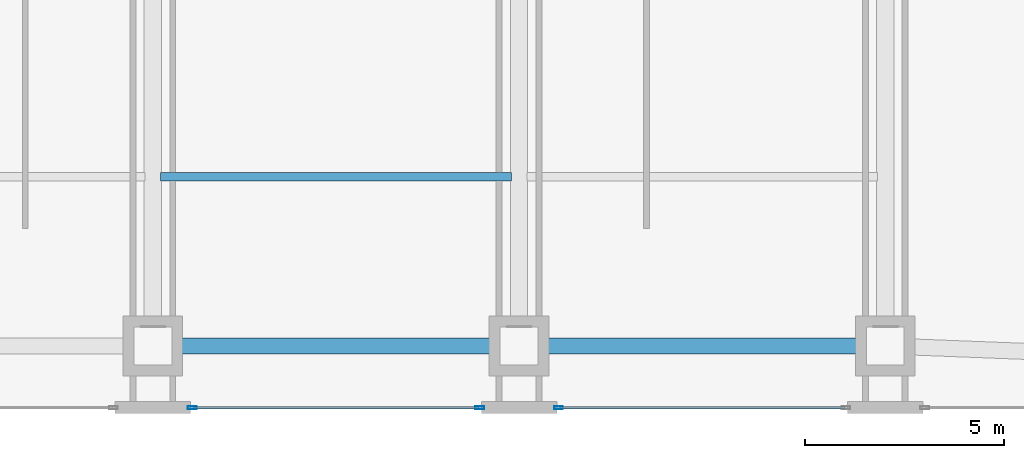
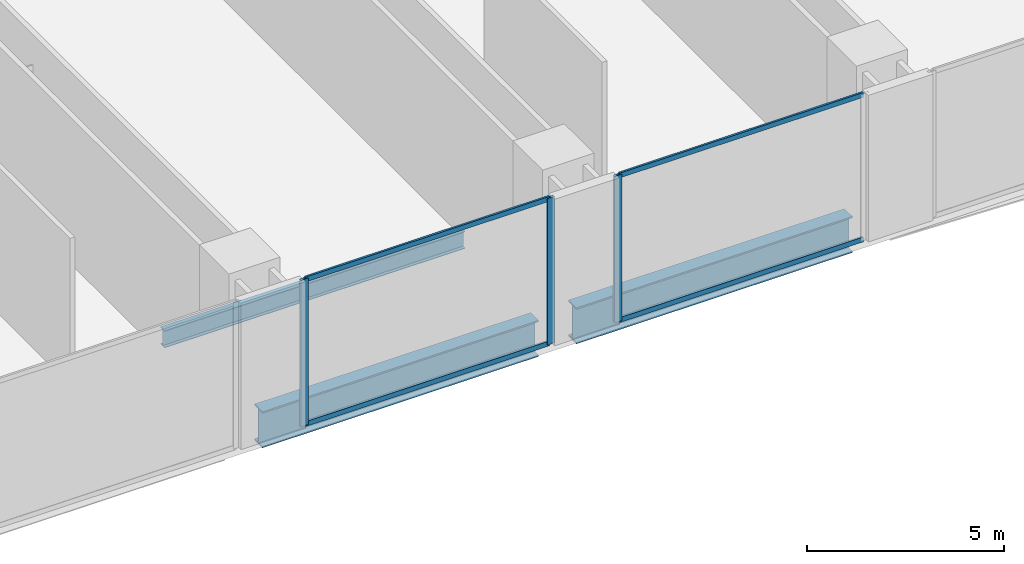
# One storey, part 9 of 33: 7 members, 3 beams, 2 elements without a shape of their own.
"""IFC4 building model written with IfcOpenShell, lengths in metres."""

from ifc_helpers import new_model, si_unit, direction, frame, origin, origin_2d, place, context, subcontext, project, spatial, hollow_rectangle, i_section, extrude, material, layer, layer_set, material_profile, profile_set, type_object, element, aggregate, save


model = new_model("IFC4")

# Units and contexts
model_context = context("Model", 3, precision=1e-05, world=origin(), true_north=direction((0.0, 1.0)))
body_context = subcontext(model_context, "Body", "Model", "MODEL_VIEW")
ifc_project = project(units=[si_unit("LENGTHUNIT", "METRE"), si_unit("AREAUNIT", "SQUARE_METRE"), si_unit("VOLUMEUNIT", "CUBIC_METRE"), si_unit("PLANEANGLEUNIT", "RADIAN"), si_unit("MASSUNIT", "GRAM", prefix="KILO")], contexts=[model_context])

# Site, building, storey
site_placement = place(None, origin())
site = spatial("IfcSite", under=ifc_project, at=site_placement, CompositionType="ELEMENT")
building_placement = place(site_placement, origin())
building = spatial("IfcBuilding", under=site, at=building_placement, Name="Zuhayl Quay Hotel", CompositionType="ELEMENT")
storey_placement = place(building_placement, frame((0.0, 0.0, 18.0)))
storey = spatial("IfcBuildingStorey", under=building, at=storey_placement, Name="L03", CompositionType="ELEMENT", Elevation=18.0)

# Beams
ifc_material_1 = material(Name="Steel ASTM A992 Grade 50", Category="steel")
ifc_material_profile_1 = material_profile(ifc_material_1, i_section(OverallWidth=0.208984375, OverallDepth=0.532958984375, WebThickness=0.01025390625, FlangeThickness=0.015625, at=origin_2d()), Name="W21X62")
ifc_profile_set_1 = profile_set([ifc_material_profile_1], Name="Steel ASTM A992 Grade 50")
beam_type_1 = type_object("IfcBeamType", Name="BM_J1_W21X62", PredefinedType="JOIST", material=ifc_profile_set_1)
beam_placement = place(storey_placement, frame((-4.406005859375, -18.199951171875, -0.526611328125), z_axis=(1.0, 0.0, 0.0), x_axis=(0.0, 1.0, 0.0)))
element("IfcBeam", 1, at=beam_placement, inside=storey, type_object=beam_type_1, Name="L03 Floor Beam J_POD_L03_1_2", PredefinedType="JOIST", context=body_context, shape_type="SweptSolid", body=[
    extrude(i_section(OverallWidth=0.208984375, OverallDepth=0.532958984375, WebThickness=0.01025390625, FlangeThickness=0.015625, at=origin_2d()), origin(), (0.0, 0.0, 1.0), 8.81201171875),
])
ifc_material_2 = material(Name="Steel ASTM A913 Grade 65", Category="steel")
ifc_material_profile_2 = material_profile(ifc_material_2, i_section(OverallWidth=0.404052734375, OverallDepth=1.117919921875, WebThickness=0.026123046875, FlangeThickness=0.044921875, at=origin_2d()), Name="W44X335")
ifc_profile_set_2 = profile_set([ifc_material_profile_2], Name="Steel ASTM A913 Grade 65")
beam_type_2 = type_object("IfcBeamType", Name="BM_TG1_W44X335", PredefinedType="BEAM", material=ifc_profile_set_2)
for number, where, z_axis, x_axis, name in (
    (2, (-4.050048828125, -22.449951171875, -0.819091796875), (1.0, 0.0, 0.0), (0.0, 1.0, 0.0), "L03 Floor Beam PG_S_L03_2"),
    (3, (5.14990234375, -22.449951171875, -0.819091796875), (1.0, 0.0, 0.0), (0.0, 1.0, 0.0), "L03 Floor Beam PG_S_L03_3"),
):
    element("IfcBeam", number, at=place(storey_placement, frame(where, z_axis=z_axis, x_axis=x_axis)), inside=storey, type_object=beam_type_2, Name=name, PredefinedType="BEAM", context=body_context, shape_type="SweptSolid", body=[
        extrude(i_section(OverallWidth=0.404052734375, OverallDepth=1.117919921875, WebThickness=0.026123046875, FlangeThickness=0.044921875, at=origin_2d()), origin(), (0.0, 0.0, 1.0), 8.10009765625),
    ])

# Curtain wall, member
ifc_material_3 = material(Name="Anodised Aluminium 6063-T6", Category="aluminium")
ifc_layer = layer(ifc_material_3, 0.199951171875, Name="Anodised Aluminium 6063-T6", Category="aluminium")
ifc_layer_set = layer_set([ifc_layer], Name="Anodised Aluminium 6063-T6")
curtain_wall_type = type_object("IfcCurtainWallType", Name="CW_SYS_POD", PredefinedType="USERDEFINED", material=ifc_layer_set)
curtain_wall_1_placement = place(storey_placement, origin())
curtain_wall_1 = element("IfcCurtainWall", 4, at=curtain_wall_1_placement, inside=storey, type_object=curtain_wall_type, Name="L03 Curtain Wall ENV_L03_E11_CW2", ObjectType="UNITISED CURTAIN WALL", PredefinedType="USERDEFINED")
ifc_material_4 = material(Name="Black-anodised aluminium 6063-T6", Category="aluminium")
ifc_material_profile_3 = material_profile(ifc_material_4, hollow_rectangle(XDim=0.074951171875, YDim=0.219970703125, WallThickness=0.00390625, at=origin_2d()), Name="ALU220X75")
ifc_profile_set_3 = profile_set([ifc_material_profile_3], Name="Black-anodised aluminium 6063-T6")
member_type_1 = type_object("IfcMemberType", Name="MB_CW_MUL_220", PredefinedType="MULLION", material=ifc_profile_set_3)
member_1_placement = place(storey_placement, frame((5.58740234375, -24.0, 0.0), z_axis=(0.0, 0.0, 1.0), x_axis=(0.0, -1.0, 0.0)))
member_1 = element("IfcMember", 5, at=member_1_placement, type_object=member_type_1, Name="CW-POD mullion 2", PredefinedType="MULLION", context=body_context, shape_type="SweptSolid", body=[
    extrude(hollow_rectangle(XDim=0.074951171875, YDim=0.219970703125, WallThickness=0.00390625, at=origin_2d()), origin(), (0.0, 0.0, 1.0), 4.5400390625),
])

# Curtain wall, members
curtain_wall_2_placement = place(storey_placement, origin())
curtain_wall_2 = element("IfcCurtainWall", 6, at=curtain_wall_2_placement, inside=storey, type_object=curtain_wall_type, Name="L03 Curtain Wall ENV_L03_E11_CW3", ObjectType="UNITISED CURTAIN WALL", PredefinedType="USERDEFINED")
member_2_placement = place(storey_placement, frame((3.612548828125, -24.0, 0.0), z_axis=(0.0, 0.0, 1.0), x_axis=(0.0, -1.0, 0.0)))
member_2 = element("IfcMember", 7, at=member_2_placement, type_object=member_type_1, Name="CW-POD mullion 1", PredefinedType="MULLION", context=body_context, shape_type="SweptSolid", body=[
    extrude(hollow_rectangle(XDim=0.074951171875, YDim=0.219970703125, WallThickness=0.00390625, at=origin_2d()), origin(), (0.0, 0.0, 1.0), 4.5400390625),
])
member_3_placement = place(storey_placement, frame((-3.612548828125, -24.0, 0.0), z_axis=(0.0, 0.0, 1.0), x_axis=(0.0, -1.0, 0.0)))
member_3 = element("IfcMember", 8, at=member_3_placement, type_object=member_type_1, Name="CW-POD mullion 2", PredefinedType="MULLION", context=body_context, shape_type="SweptSolid", body=[
    extrude(hollow_rectangle(XDim=0.074951171875, YDim=0.219970703125, WallThickness=0.00390625, at=origin_2d()), origin(), (0.0, 0.0, 1.0), 4.5400390625),
])

# Member
ifc_material_profile_4 = material_profile(ifc_material_4, hollow_rectangle(XDim=0.06005859375, YDim=0.14990234375, WallThickness=0.00341796875, at=origin_2d()), Name="ALU150X60")
ifc_profile_set_4 = profile_set([ifc_material_profile_4], Name="Black-anodised aluminium 6063-T6")
member_type_2 = type_object("IfcMemberType", Name="MB_CW_TRN_150", PredefinedType="USERDEFINED", material=ifc_profile_set_4)
member_4_placement = place(storey_placement, frame((12.77490234375, -24.0, 0.030029296875), z_axis=(-1.0, 0.0, 0.0), x_axis=(0.0, -1.0, 0.0)))
member_4 = element("IfcMember", 9, at=member_4_placement, type_object=member_type_2, Name="CW-POD transom 1.1", ObjectType="TRANSOM", PredefinedType="USERDEFINED", context=body_context, shape_type="SweptSolid", body=[
    extrude(hollow_rectangle(XDim=0.06005859375, YDim=0.14990234375, WallThickness=0.00341796875, at=origin_2d()), origin(), (0.0, 0.0, 1.0), 7.14990234375),
])

member_5_placement = place(storey_placement, frame((12.77490234375, -24.0, 4.510009765625), z_axis=(-1.0, 0.0, 0.0), x_axis=(0.0, -1.0, 0.0)))
member_5 = element("IfcMember", 10, at=member_5_placement, type_object=member_type_2, Name="CW-POD transom 1.2", ObjectType="TRANSOM", PredefinedType="USERDEFINED", context=body_context, shape_type="SweptSolid", body=[
    extrude(hollow_rectangle(XDim=0.06005859375, YDim=0.14990234375, WallThickness=0.00341796875, at=origin_2d()), origin(), (0.0, 0.0, 1.0), 7.14990234375),
])

aggregate(curtain_wall_1, [member_1, member_4, member_5])

member_6_placement = place(storey_placement, frame((3.574951171875, -24.0, 0.030029296875), z_axis=(-1.0, 0.0, 0.0), x_axis=(0.0, -1.0, 0.0)))
member_6 = element("IfcMember", 11, at=member_6_placement, type_object=member_type_2, Name="CW-POD transom 1.1", ObjectType="TRANSOM", PredefinedType="USERDEFINED", context=body_context, shape_type="SweptSolid", body=[
    extrude(hollow_rectangle(XDim=0.06005859375, YDim=0.14990234375, WallThickness=0.00341796875, at=origin_2d()), origin(), (0.0, 0.0, 1.0), 7.14990234375),
])

member_7_placement = place(storey_placement, frame((3.574951171875, -24.0, 4.510009765625), z_axis=(-1.0, 0.0, 0.0), x_axis=(0.0, -1.0, 0.0)))
member_7 = element("IfcMember", 12, at=member_7_placement, type_object=member_type_2, Name="CW-POD transom 1.2", ObjectType="TRANSOM", PredefinedType="USERDEFINED", context=body_context, shape_type="SweptSolid", body=[
    extrude(hollow_rectangle(XDim=0.06005859375, YDim=0.14990234375, WallThickness=0.00341796875, at=origin_2d()), origin(), (0.0, 0.0, 1.0), 7.14990234375),
])

aggregate(curtain_wall_2, [member_2, member_3, member_6, member_7])

save(model, "model.ifc")
